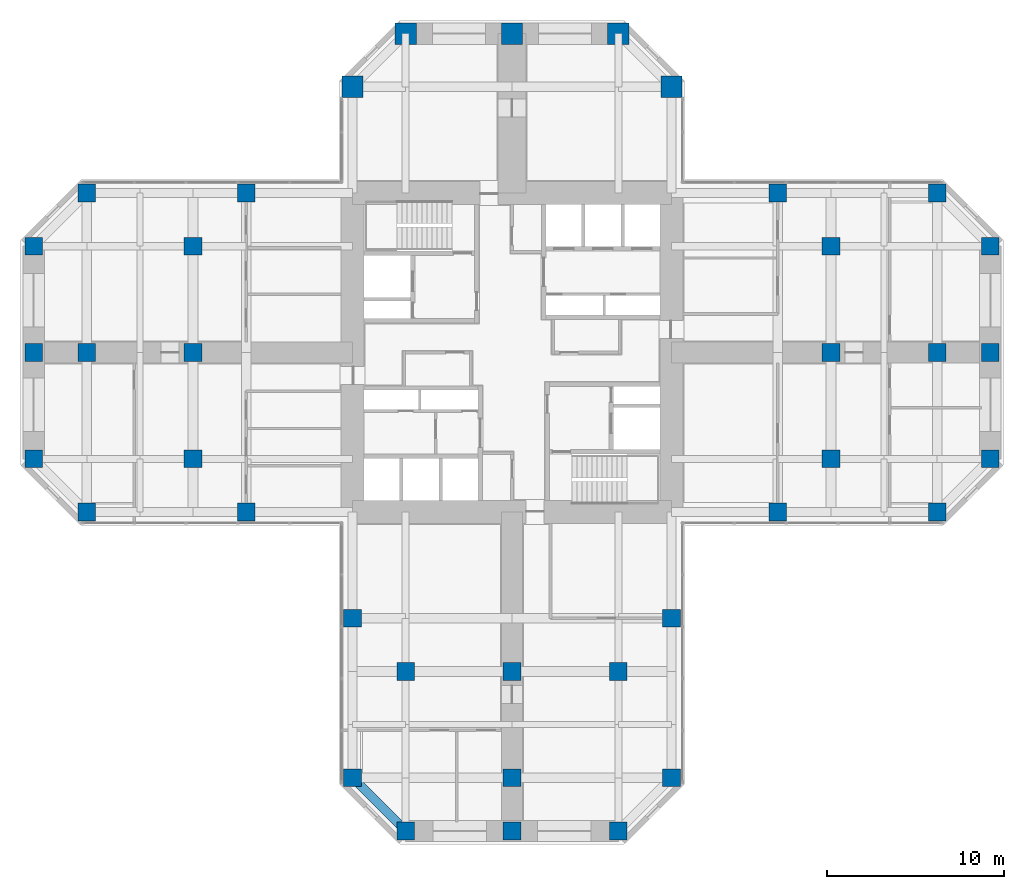
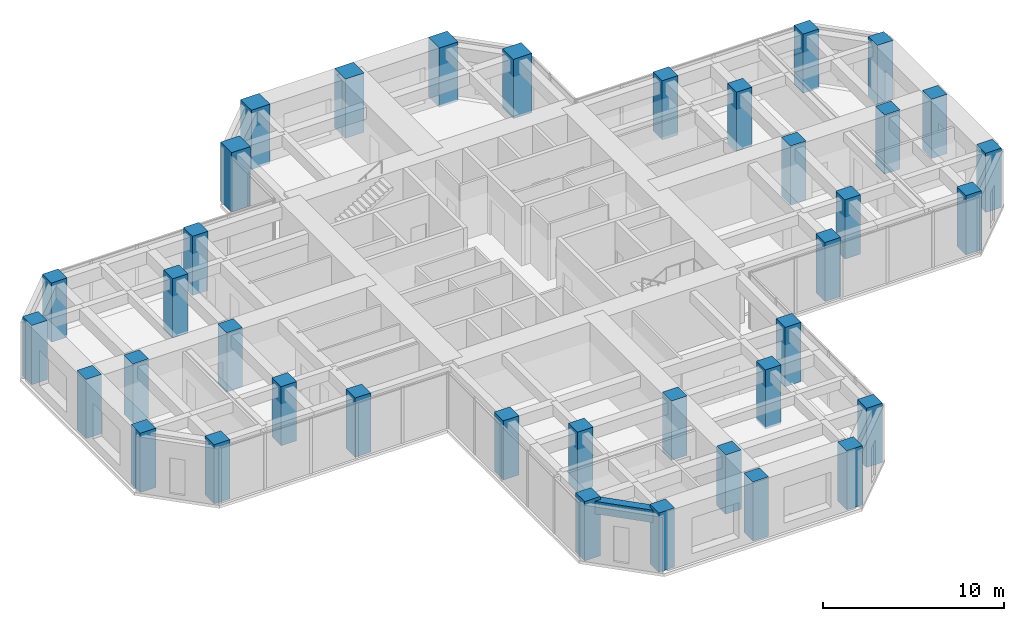
# One storey, part 1 of 12: 38 columns, 1 beam.
"""IFC4 building model written with IfcOpenShell, lengths in metres."""

from ifc_helpers import new_model, si_unit, direction, frame, origin, origin_2d, place, context, subcontext, project, spatial, rectangle, extrude, material, material_profile, profile_set, type_object, element, save


model = new_model("IFC4")

# Units and contexts
model_context = context("Model", 3, precision=1e-05, world=origin(), true_north=direction((0.0, 1.0)))
body_context = subcontext(model_context, "Body", "Model", "MODEL_VIEW")
ifc_project = project(units=[si_unit("LENGTHUNIT", "METRE"), si_unit("AREAUNIT", "SQUARE_METRE"), si_unit("VOLUMEUNIT", "CUBIC_METRE"), si_unit("PLANEANGLEUNIT", "RADIAN"), si_unit("MASSUNIT", "GRAM", prefix="KILO")], contexts=[model_context])

# Site, building, storey
site_placement = place(None, origin())
site = spatial("IfcSite", under=ifc_project, at=site_placement, CompositionType="ELEMENT")
building_placement = place(site_placement, origin())
building = spatial("IfcBuilding", under=site, at=building_placement, Name="Torre Cruceta", CompositionType="ELEMENT")
storey_placement = place(building_placement, frame((0.0, 0.0, 104.5)))
storey = spatial("IfcBuildingStorey", under=building, at=storey_placement, Name="L25", CompositionType="ELEMENT", Elevation=104.5)

# Columns
ifc_material_1 = material(Name="Concrete G60 (fck 60 MPa)", Category="concrete")
ifc_material_profile_1 = material_profile(ifc_material_1, rectangle(XDim=1.0, YDim=1.0, at=origin_2d()), Name="RC 1000X1000")
ifc_profile_set_1 = profile_set([ifc_material_profile_1], Name="Concrete G60 (fck 60 MPa)")
column_type_1 = type_object("IfcColumnType", Name="COLUMN RC 1000X1000", PredefinedType="COLUMN", material=ifc_profile_set_1)
for number, where, z_axis, x_axis, name in (
    (1, (15.0, -9.0, 0.0), (0.0, 0.0, 1.0), (1.0, 0.0, 0.0), "C5 L25 E side"),
    (2, (24.0, -9.0, 0.0), (0.0, 0.0, 1.0), (1.0, 0.0, 0.0), "C5 L25 E chamfer"),
    (3, (15.0, 9.0, 0.0), (0.0, 0.0, 1.0), (1.0, 0.0, 0.0), "C5 L25 E side"),
    (4, (24.0, 9.0, 0.0), (0.0, 0.0, 1.0), (1.0, 0.0, 0.0), "C5 L25 E chamfer"),
    (5, (27.0, -6.0, 0.0), (0.0, 0.0, 1.0), (1.0, 0.0, 0.0), "C5 L25 E tip"),
    (6, (27.0, 0.0, 0.0), (0.0, 0.0, 1.0), (1.0, 0.0, 0.0), "C5 L25 E tip"),
    (7, (27.0, 6.0, 0.0), (0.0, 0.0, 1.0), (1.0, 0.0, 0.0), "C5 L25 E tip"),
    (8, (-9.0, -15.0, 0.0), (0.0, 0.0, 1.0), (1.0, 0.0, 0.0), "C5 L25 S side"),
    (9, (-9.0, -24.0, 0.0), (0.0, 0.0, 1.0), (1.0, 0.0, 0.0), "C5 L25 S chamfer"),
    (10, (9.0, -15.0, 0.0), (0.0, 0.0, 1.0), (1.0, 0.0, 0.0), "C5 L25 S side"),
    (11, (9.0, -24.0, 0.0), (0.0, 0.0, 1.0), (1.0, 0.0, 0.0), "C5 L25 S chamfer"),
    (12, (-6.0, -27.0, 0.0), (0.0, 0.0, 1.0), (1.0, 0.0, 0.0), "C5 L25 S tip"),
    (13, (0.0, -27.0, 0.0), (0.0, 0.0, 1.0), (1.0, 0.0, 0.0), "C5 L25 S tip"),
    (14, (6.0, -27.0, 0.0), (0.0, 0.0, 1.0), (1.0, 0.0, 0.0), "C5 L25 S tip"),
    (15, (-15.0, 9.0, 0.0), (0.0, 0.0, 1.0), (1.0, 0.0, 0.0), "C5 L25 W side"),
    (16, (-24.0, 9.0, 0.0), (0.0, 0.0, 1.0), (1.0, 0.0, 0.0), "C5 L25 W chamfer"),
    (17, (-15.0, -9.0, 0.0), (0.0, 0.0, 1.0), (1.0, 0.0, 0.0), "C5 L25 W side"),
    (18, (-24.0, -9.0, 0.0), (0.0, 0.0, 1.0), (1.0, 0.0, 0.0), "C5 L25 W chamfer"),
    (19, (-27.0, 6.0, 0.0), (0.0, 0.0, 1.0), (1.0, 0.0, 0.0), "C5 L25 W tip"),
    (20, (-27.0, 0.0, 0.0), (0.0, 0.0, 1.0), (1.0, 0.0, 0.0), "C5 L25 W tip"),
    (21, (-27.0, -6.0, 0.0), (0.0, 0.0, 1.0), (1.0, 0.0, 0.0), "C5 L25 W tip"),
    (22, (18.0, -6.0, 0.0), (0.0, 0.0, 1.0), (1.0, 0.0, 0.0), "C5 L25 E interior"),
    (23, (18.0, 0.0, 0.0), (0.0, 0.0, 1.0), (1.0, 0.0, 0.0), "C5 L25 E interior"),
    (24, (18.0, 6.0, 0.0), (0.0, 0.0, 1.0), (1.0, 0.0, 0.0), "C5 L25 E interior"),
    (25, (24.0, 0.0, 0.0), (0.0, 0.0, 1.0), (1.0, 0.0, 0.0), "C5 L25 E interior"),
    (26, (-6.0, -18.0, 0.0), (0.0, 0.0, 1.0), (1.0, 0.0, 0.0), "C5 L25 S interior"),
    (27, (0.0, -18.0, 0.0), (0.0, 0.0, 1.0), (1.0, 0.0, 0.0), "C5 L25 S interior"),
    (28, (6.0, -18.0, 0.0), (0.0, 0.0, 1.0), (1.0, 0.0, 0.0), "C5 L25 S interior"),
    (29, (0.0, -24.0, 0.0), (0.0, 0.0, 1.0), (1.0, 0.0, 0.0), "C5 L25 S interior"),
    (30, (-18.0, 6.0, 0.0), (0.0, 0.0, 1.0), (1.0, 0.0, 0.0), "C5 L25 W interior"),
    (31, (-18.0, 0.0, 0.0), (0.0, 0.0, 1.0), (1.0, 0.0, 0.0), "C5 L25 W interior"),
    (32, (-18.0, -6.0, 0.0), (0.0, 0.0, 1.0), (1.0, 0.0, 0.0), "C5 L25 W interior"),
    (33, (-24.0, 0.0, 0.0), (0.0, 0.0, 1.0), (1.0, 0.0, 0.0), "C5 L25 W interior"),
):
    element("IfcColumn", number, at=place(storey_placement, frame(where, z_axis=z_axis, x_axis=x_axis)), inside=storey, type_object=column_type_1, Name=name, PredefinedType="COLUMN", context=body_context, shape_type="SweptSolid", body=[
        extrude(rectangle(XDim=1.0, YDim=1.0, at=origin_2d()), origin(), (0.0, 0.0, 1.0), 4.0),
    ])
ifc_material_2 = material(Name="Concrete G60 (fck 60 MPa)", Category="concrete")
ifc_material_profile_2 = material_profile(ifc_material_2, rectangle(XDim=1.199951171875, YDim=1.199951171875, at=origin_2d()), Name="RC 1200X1200")
ifc_profile_set_2 = profile_set([ifc_material_profile_2], Name="Concrete G60 (fck 60 MPa)")
column_type_2 = type_object("IfcColumnType", Name="COLUMN RC 1200X1200", PredefinedType="COLUMN", material=ifc_profile_set_2)
for number, where, z_axis, x_axis, name in (
    (34, (9.0, 15.0, 0.0), (0.0, 0.0, 1.0), (1.0, 0.0, 0.0), "C3 L25 N chamfer"),
    (35, (-9.0, 15.0, 0.0), (0.0, 0.0, 1.0), (1.0, 0.0, 0.0), "C3 L25 N chamfer"),
    (36, (6.0, 18.0, 0.0), (0.0, 0.0, 1.0), (1.0, 0.0, 0.0), "C3 L25 N tip"),
    (37, (0.0, 18.0, 0.0), (0.0, 0.0, 1.0), (1.0, 0.0, 0.0), "C3 L25 N tip"),
    (38, (-6.0, 18.0, 0.0), (0.0, 0.0, 1.0), (1.0, 0.0, 0.0), "C3 L25 N tip"),
):
    element("IfcColumn", number, at=place(storey_placement, frame(where, z_axis=z_axis, x_axis=x_axis)), inside=storey, type_object=column_type_2, Name=name, PredefinedType="COLUMN", context=body_context, shape_type="SweptSolid", body=[
        extrude(rectangle(XDim=1.199951171875, YDim=1.199951171875, at=origin_2d()), origin(), (0.0, 0.0, 1.0), 4.0),
    ])

# Beam
ifc_material_3 = material(Name="Concrete G60 (fck 60 MPa)", Category="concrete")
ifc_material_profile_3 = material_profile(ifc_material_3, rectangle(XDim=0.5, YDim=0.85009765625, at=origin_2d()), Name="RC 500X850")
ifc_profile_set_3 = profile_set([ifc_material_profile_3], Name="Concrete G60 (fck 60 MPa)")
beam_type = type_object("IfcBeamType", Name="SPANDREL BEAM RC 500X850", PredefinedType="SPANDREL", material=ifc_profile_set_3)
beam_placement = place(storey_placement, frame((-9.0, -24.0, 3.375), z_axis=(0.707106781187, -0.707106781187, 0.0), x_axis=(0.707106781187, 0.707106781187, 0.0)))
element("IfcBeam", 39, at=beam_placement, inside=storey, type_object=beam_type, Name="SB5 L25 S side- 5", PredefinedType="SPANDREL", context=body_context, shape_type="SweptSolid", body=[
    extrude(rectangle(XDim=0.5, YDim=0.85009765625, at=origin_2d()), origin(), (0.0, 0.0, 1.0), 4.24267578125),
])

save(model, "model.ifc")
